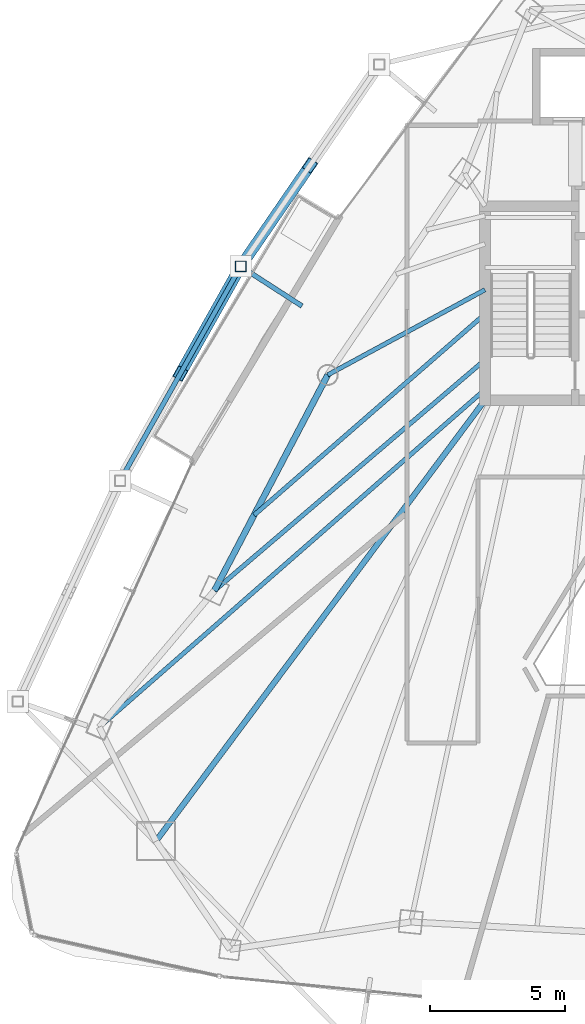
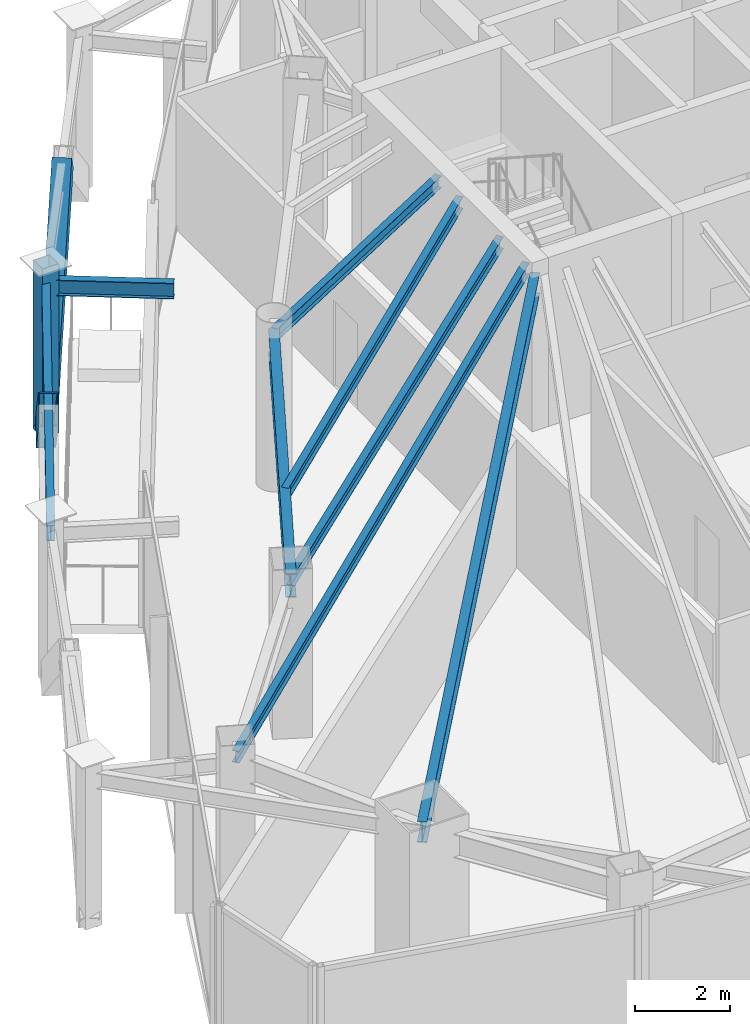
# One storey, part 9 of 27: 8 beams, 3 members.
"""IFC4 building model written with IfcOpenShell, lengths in metres."""

from ifc_helpers import new_model, si_unit, direction, frame, origin, origin_2d, place, context, subcontext, project, spatial, hollow_rectangle, i_section, extrude, material, material_profile, profile_set, type_object, element, save


model = new_model("IFC4")

# Units and contexts
model_context = context("Model", 3, precision=1e-05, world=origin(), true_north=direction((0.0, 1.0)))
body_context = subcontext(model_context, "Body", "Model", "MODEL_VIEW")
ifc_project = project(units=[si_unit("LENGTHUNIT", "METRE"), si_unit("AREAUNIT", "SQUARE_METRE"), si_unit("VOLUMEUNIT", "CUBIC_METRE"), si_unit("PLANEANGLEUNIT", "RADIAN"), si_unit("MASSUNIT", "GRAM", prefix="KILO")], contexts=[model_context])

# Site, building, storey
site_placement = place(None, origin())
site = spatial("IfcSite", under=ifc_project, at=site_placement, CompositionType="ELEMENT")
building_placement = place(site_placement, origin())
building = spatial("IfcBuilding", under=site, at=building_placement, Name="Orvanel Arch Residences", CompositionType="ELEMENT")
storey_placement = place(building_placement, frame((0.0, 0.0, 186.949951171875)))
storey = spatial("IfcBuildingStorey", under=building, at=storey_placement, Name="L53", CompositionType="ELEMENT", Elevation=186.949951171875)

# Beams
ifc_material_1 = material(Name="Structural steel AS/NZS 3679.1 Grade 300 (300 MPa)", Category="steel")
ifc_material_profile_1 = material_profile(ifc_material_1, i_section(OverallWidth=0.208984375, OverallDepth=0.532958984375, WebThickness=0.01025390625, FlangeThickness=0.015625, at=origin_2d()), Name="530UB92.4")
ifc_profile_set_1 = profile_set([ifc_material_profile_1], Name="Structural steel AS/NZS 3679.1 Grade 300 (300 MPa)")
beam_type_1 = type_object("IfcBeamType", Name="BG-530UB", PredefinedType="BEAM", material=ifc_profile_set_1)
beam_1_placement = place(storey_placement, frame((26.375, 26.675048828125, 3.68310546875), z_axis=(-0.597893733742, -0.801575375839, 0.0), x_axis=(0.801575375839, -0.597893733742, 0.0)))
element("IfcBeam", 1, at=beam_1_placement, inside=storey, type_object=beam_type_1, Name="L53 South-West Radial Girder", PredefinedType="BEAM", context=body_context, shape_type="SweptSolid", body=[
    extrude(i_section(OverallWidth=0.208984375, OverallDepth=0.532958984375, WebThickness=0.01025390625, FlangeThickness=0.015625, at=origin_2d()), origin(), (0.0, 0.0, 1.0), 20.36474609375),
])
ifc_material_profile_2 = material_profile(ifc_material_1, i_section(OverallWidth=0.1650390625, OverallDepth=0.303955078125, WebThickness=0.006103515625, FlangeThickness=0.01025390625, at=origin_2d()), Name="310UB40.4")
ifc_profile_set_2 = profile_set([ifc_material_profile_2], Name="Structural steel AS/NZS 3679.1 Grade 300 (300 MPa)")
beam_type_2 = type_object("IfcBeamType", Name="BJ-310UB", PredefinedType="JOIST", material=ifc_profile_set_2)
beam_2_placement = place(storey_placement, frame((26.39990234375, 30.800048828125, 3.798095703125), z_axis=(-0.87925534649, -0.476350748576, 0.0), x_axis=(0.476350748576, -0.87925534649, 0.0)))
element("IfcBeam", 2, at=beam_2_placement, inside=storey, type_object=beam_type_2, Name="L53 NW Wing Floor Joist", PredefinedType="JOIST", context=body_context, shape_type="SweptSolid", body=[
    extrude(i_section(OverallWidth=0.1650390625, OverallDepth=0.303955078125, WebThickness=0.006103515625, FlangeThickness=0.01025390625, at=origin_2d()), origin(), (0.0, 0.0, 1.0), 6.631591796875),
])
beam_3_placement = place(storey_placement, frame((26.39990234375, 28.199951171875, 3.798095703125), z_axis=(-0.760821315761, -0.648961420644, 0.0), x_axis=(0.648961420644, -0.760821315761, 0.0)))
element("IfcBeam", 3, at=beam_3_placement, inside=storey, type_object=beam_type_2, Name="L53 W Wing Floor Joist", PredefinedType="JOIST", context=body_context, shape_type="SweptSolid", body=[
    extrude(i_section(OverallWidth=0.1650390625, OverallDepth=0.303955078125, WebThickness=0.006103515625, FlangeThickness=0.01025390625, at=origin_2d()), origin(), (0.0, 0.0, 1.0), 13.18701171875),
])
beam_4_placement = place(storey_placement, frame((26.39990234375, 27.10009765625, 3.798095703125), z_axis=(-0.752493154183, -0.658600070534, 0.0), x_axis=(0.658600070534, -0.752493154183, 0.0)))
element("IfcBeam", 4, at=beam_4_placement, inside=storey, type_object=beam_type_2, Name="L53 MW Wing Floor Joist", PredefinedType="JOIST", context=body_context, shape_type="SweptSolid", body=[
    extrude(i_section(OverallWidth=0.1650390625, OverallDepth=0.303955078125, WebThickness=0.006103515625, FlangeThickness=0.01025390625, at=origin_2d()), origin(), (0.0, 0.0, 1.0), 19.010009765625),
])
beam_5_placement = place(storey_placement, frame((26.39990234375, 29.89990234375, 3.798095703125), z_axis=(-0.754047930849, -0.656819395254, 0.0), x_axis=(0.656819395254, -0.754047930849, 0.0)))
element("IfcBeam", 5, at=beam_5_placement, inside=storey, type_object=beam_type_2, Name="L53 CTW Wing Floor Joist", PredefinedType="JOIST", context=body_context, shape_type="SweptSolid", body=[
    extrude(i_section(OverallWidth=0.1650390625, OverallDepth=0.303955078125, WebThickness=0.006103515625, FlangeThickness=0.01025390625, at=origin_2d()), origin(), (0.0, 0.0, 1.0), 11.354736328125),
])

# Members
ifc_material_2 = material(Name="Structural steel AS/NZS 3678 Grade 350", Category="steel")
ifc_material_profile_3 = material_profile(ifc_material_2, hollow_rectangle(XDim=0.419921875, YDim=0.719970703125, WallThickness=0.02490234375, at=origin_2d()), Name="RHS720x420x25")
ifc_profile_set_3 = profile_set([ifc_material_profile_3], Name="Structural steel AS/NZS 3678 Grade 350")
member_type_1 = type_object("IfcMemberType", Name="BR-720RHS-EXT", PredefinedType="BRACE", material=ifc_profile_set_3)
member_1_placement = place(storey_placement, frame((17.339111328125, 31.6650390625, 0.0), z_axis=(0.436719196724, 0.635925171687, 0.636298294221), x_axis=(-0.824331903077, 0.56610680403, 0.0)))
element("IfcMember", 6, at=member_1_placement, inside=storey, type_object=member_type_1, Name="L53 Exterior Sky-Garden V-Frame Chevron F1B1.2", PredefinedType="BRACE", context=body_context, shape_type="SweptSolid", body=[
    extrude(hollow_rectangle(XDim=0.419921875, YDim=0.719970703125, WallThickness=0.02490234375, at=origin_2d()), origin(), (0.0, 0.0, 1.0), 5.888916015625),
])
member_2_placement = place(storey_placement, frame((17.339111328125, 31.6650390625, 0.0), z_axis=(-0.378723639545, -0.673387591973, 0.634915392653), x_axis=(0.871606995057, -0.490205310219, 0.0)))
element("IfcMember", 7, at=member_2_placement, inside=storey, type_object=member_type_1, Name="L53 Exterior Sky-Garden V-Frame Chevron F1B2.1", PredefinedType="BRACE", context=body_context, shape_type="SweptSolid", body=[
    extrude(hollow_rectangle(XDim=0.419921875, YDim=0.719970703125, WallThickness=0.02490234375, at=origin_2d()), origin(), (0.0, 0.0, 1.0), 5.901611328125),
])

# Beams
ifc_material_profile_4 = material_profile(ifc_material_1, i_section(OverallWidth=0.177978515625, OverallDepth=0.406005859375, WebThickness=0.0078125, FlangeThickness=0.0126953125, at=origin_2d()), Name="410UB59.7")
ifc_profile_set_4 = profile_set([ifc_material_profile_4], Name="Structural steel AS/NZS 3679.1 Grade 300 (300 MPa)")
beam_type_3 = type_object("IfcBeamType", Name="OB-410UB-EXT", PredefinedType="SPANDREL", material=ifc_profile_set_4)
beam_6_placement = place(storey_placement, frame((19.614990234375, 30.195068359375, 3.7470703125), z_axis=(-0.84001713214, 0.542559874771, 0.0), x_axis=(-0.542559874771, -0.84001713214, 0.0)))
element("IfcBeam", 8, at=beam_6_placement, inside=storey, type_object=beam_type_3, Name="L53 Outer Frame Radial Tie Beam 02", PredefinedType="SPANDREL", context=body_context, shape_type="SweptSolid", body=[
    extrude(i_section(OverallWidth=0.177978515625, OverallDepth=0.406005859375, WebThickness=0.0078125, FlangeThickness=0.0126953125, at=origin_2d()), origin(), (0.0, 0.0, 1.0), 2.709228515625),
])
beam_7_placement = place(storey_placement, frame((17.339111328125, 31.6650390625, 3.7470703125), z_axis=(-0.490252342996, -0.871580541423, 0.0), x_axis=(0.871580541423, -0.490252342996, 0.0)))
element("IfcBeam", 9, at=beam_7_placement, inside=storey, type_object=beam_type_3, Name="L53 Outer Perimeter Floor Ring Beam 02", PredefinedType="SPANDREL", context=body_context, shape_type="SweptSolid", body=[
    extrude(i_section(OverallWidth=0.177978515625, OverallDepth=0.406005859375, WebThickness=0.0078125, FlangeThickness=0.0126953125, at=origin_2d()), origin(), (0.0, 0.0, 1.0), 9.1201171875),
])
ifc_material_profile_5 = material_profile(ifc_material_1, i_section(OverallWidth=0.22900390625, OverallDepth=0.612060546875, WebThickness=0.011962890625, FlangeThickness=0.01953125, at=origin_2d()), Name="610UB125")
ifc_profile_set_5 = profile_set([ifc_material_profile_5], Name="Structural steel AS/NZS 3679.1 Grade 300 (300 MPa)")
beam_type_4 = type_object("IfcBeamType", Name="SP-610UB", PredefinedType="SPANDREL", material=ifc_profile_set_5)
beam_8_placement = place(storey_placement, frame((20.569091796875, 27.64111328125, 3.64404296875), z_axis=(-0.465064762793, -0.885276660942, 0.0), x_axis=(0.885276660942, -0.465064762793, 0.0)))
element("IfcBeam", 10, at=beam_8_placement, inside=storey, type_object=beam_type_4, Name="L53 Perimeter Spandrel Beam 18", PredefinedType="SPANDREL", context=body_context, shape_type="SweptSolid", body=[
    extrude(i_section(OverallWidth=0.22900390625, OverallDepth=0.612060546875, WebThickness=0.011962890625, FlangeThickness=0.01953125, at=origin_2d()), origin(), (0.0, 0.0, 1.0), 9.03564453125),
])

# Member
ifc_material_3 = material(Name="Structural steel AS/NZS 1163 C450L0 (Grade 450)", Category="steel")
ifc_material_profile_6 = material_profile(ifc_material_3, hollow_rectangle(XDim=0.39990234375, YDim=0.39990234375, WallThickness=0.01611328125, at=origin_2d()), Name="SHS400x400x16")
ifc_profile_set_6 = profile_set([ifc_material_profile_6], Name="Structural steel AS/NZS 1163 C450L0 (Grade 450)")
member_type_2 = type_object("IfcMemberType", Name="ST-400SHS-EXT", PredefinedType="STRUT", material=ifc_profile_set_6)
member_3_placement = place(storey_placement, frame((17.339111328125, 31.6650390625, 0.0), z_axis=(0.0, 0.0, 1.0), x_axis=(1.0, 0.0, 0.0)))
element("IfcMember", 11, at=member_3_placement, inside=storey, type_object=member_type_2, Name="L53 Outer Perimeter Frame Post 02", PredefinedType="STRUT", context=body_context, shape_type="SweptSolid", body=[
    extrude(hollow_rectangle(XDim=0.39990234375, YDim=0.39990234375, WallThickness=0.01611328125, at=origin_2d()), origin(), (0.0, 0.0, 1.0), 4.35009765625),
])

save(model, "model.ifc")
